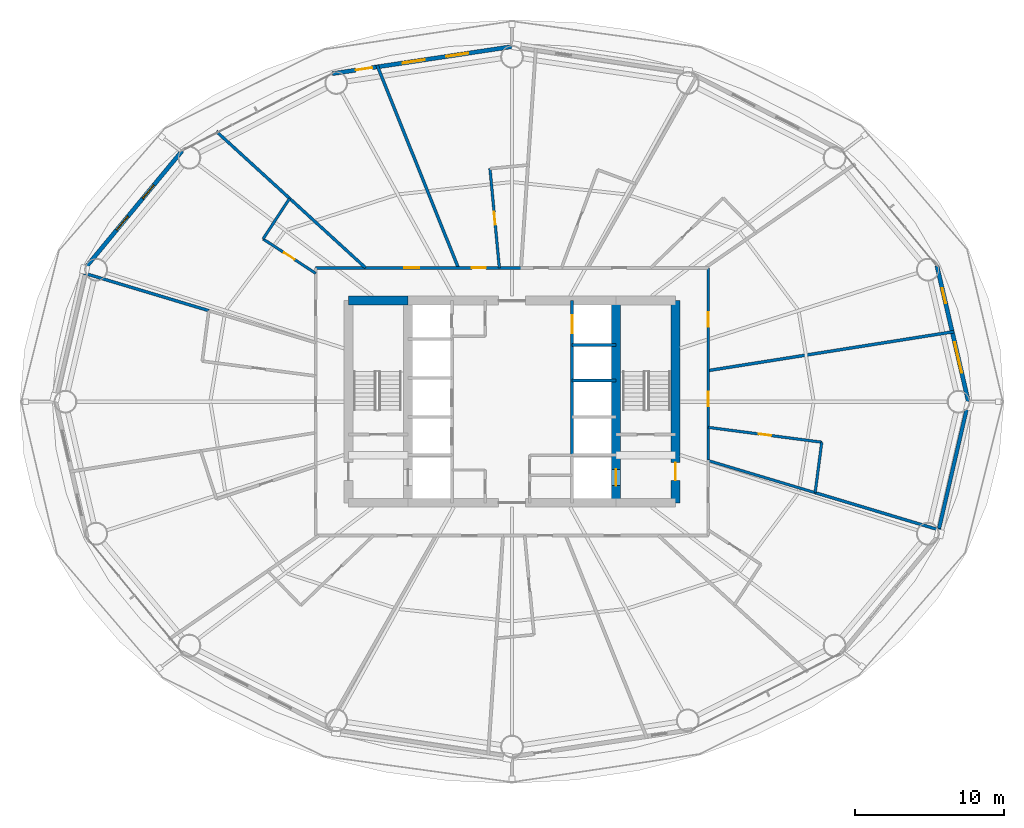
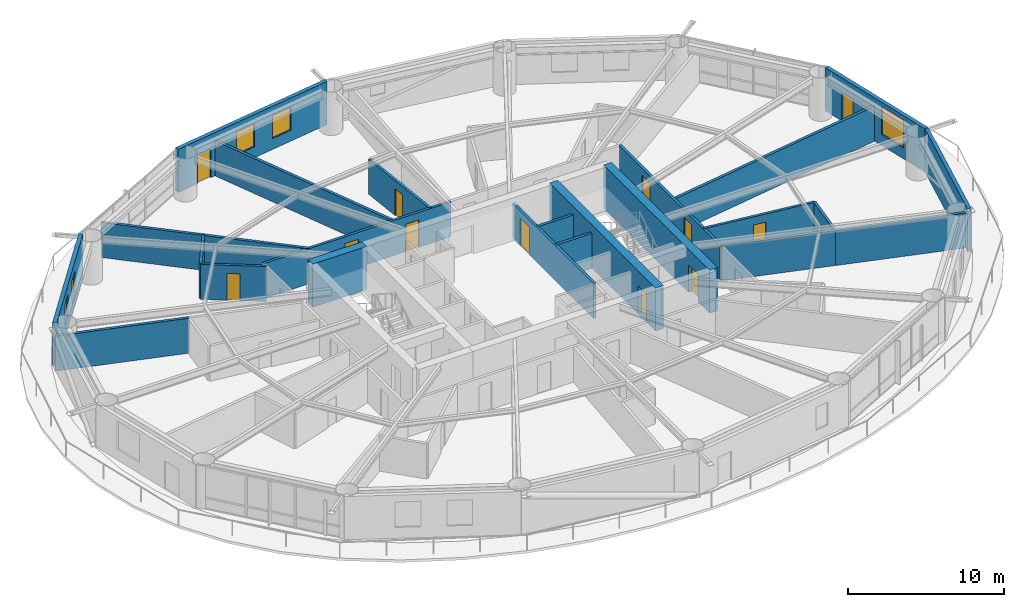
# One storey, part 22 of 26: 23 walls, 12 doors, 5 windows, 17 openings.
"""IFC4 building model written with IfcOpenShell, lengths in metres."""

from ifc_helpers import new_model, si_unit, direction, frame, frame_2d, origin, place, context, subcontext, project, spatial, rectangle, extrude, material, layer, layer_set, type_object, element, fill, save


model = new_model("IFC4")

# Units and contexts
model_context = context("Model", 3, precision=1e-05, world=origin(), true_north=direction((0.0, 1.0)))
body_context = subcontext(model_context, "Body", "Model", "MODEL_VIEW")
ifc_project = project(units=[si_unit("LENGTHUNIT", "METRE"), si_unit("AREAUNIT", "SQUARE_METRE"), si_unit("VOLUMEUNIT", "CUBIC_METRE"), si_unit("PLANEANGLEUNIT", "RADIAN"), si_unit("MASSUNIT", "GRAM", prefix="KILO")], contexts=[model_context])

# Site, building, storey
site_placement = place(None, origin())
site = spatial("IfcSite", under=ifc_project, at=site_placement, CompositionType="ELEMENT")
building_placement = place(site_placement, origin())
building = spatial("IfcBuilding", under=site, at=building_placement, Name="Sarneth Arch Tower", CompositionType="ELEMENT")
storey_placement = place(building_placement, frame((0.0, 0.0, 64.199951171875)))
storey = spatial("IfcBuildingStorey", under=building, at=storey_placement, Name="L15", CompositionType="ELEMENT", Elevation=64.199951171875)

# Wall
ifc_material_1 = material(Name="Concrete C60/75", Category="concrete")
ifc_layer_1 = layer(ifc_material_1, 0.60009765625)
ifc_layer_set_1 = layer_set([ifc_layer_1], Name="Concrete C60/75")
wall_type_1 = type_object("IfcWallType", Name="WALL-CORE-600", PredefinedType="SHEAR", material=ifc_layer_set_1)
wall_1_placement = place(storey_placement, frame((37.0, 48.800048828125, 0.0), z_axis=(0.0, 0.0, 1.0), x_axis=(1.0, 0.0, 0.0)))
element("IfcWall", 1, at=wall_1_placement, inside=storey, type_object=wall_type_1, Name="L15 Core shear wall N-W", PredefinedType="SHEAR", context=body_context, shape_type="SweptSolid", body=[
    extrude(rectangle(XDim=4.0, YDim=0.60009765625, at=frame_2d((2.0, 0.0))), origin(), (0.0, 0.0, 1.0), 3.380126953125),
])

# Wall, opening, door
wall_2_placement = place(storey_placement, frame((59.0, 35.199951171875, 0.0), z_axis=(0.0, 0.0, 1.0), x_axis=(0.0, 1.0, 0.0)))
wall_2 = element("IfcWall", 2, at=wall_2_placement, inside=storey, type_object=wall_type_1, Name="L15 Core shear wall E", PredefinedType="SHEAR", context=body_context, shape_type="SweptSolid", body=[
    extrude(rectangle(XDim=13.60009765625, YDim=0.60009765625, at=frame_2d((6.800048828125, 0.0))), origin(), (0.0, 0.0, 1.0), 3.380126953125),
])
opening_1_placement = place(wall_2_placement, frame((1.5, 0.0, 0.0)))
opening_1 = element("IfcOpeningElement", 3, at=opening_1_placement, cuts=wall_2, Name="Opening FD-02", PredefinedType="OPENING", context=body_context, shape_type="SweptSolid", body=[
    extrude(rectangle(XDim=1.199951171875, YDim=2.14990234375, at=frame_2d((0.60009765625, 1.074951171875))), frame((0.0, 0.31005859375, 0.0), z_axis=(0.0, -1.0, 0.0), x_axis=(1.0, 0.0, 0.0)), (0.0, 0.0, 1.0), 0.6201171875),
])
ifc_material_2 = material(Name="Galvanised Steel S275 fire door set", Category="steel")
door_type_1 = type_object("IfcDoorType", Name="DR-FD90-1200", OperationType="SINGLE_SWING_LEFT", PredefinedType="DOOR", material=ifc_material_2)
door_1_placement = place(opening_1_placement, origin())
door_1 = element("IfcDoor", 4, at=door_1_placement, inside=storey, type_object=door_type_1, Name="L15 Firefighting lobby 2 exit door", OperationType="SINGLE_SWING_RIGHT", OverallHeight=2.14990234375, OverallWidth=1.199951171875, PredefinedType="DOOR", context=body_context, shape_type="SweptSolid", body=[
    extrude(rectangle(XDim=1.199951171875, YDim=2.14990234375, at=frame_2d((0.60009765625, 1.074951171875))), frame((0.0, 0.02490234375, 0.0), z_axis=(0.0, -1.0, 0.0), x_axis=(1.0, 0.0, 0.0)), (0.0, 0.0, 1.0), 0.050048828125),
])
fill(opening_1, door_1)

wall_3_placement = place(storey_placement, frame((55.0, 35.199951171875, 0.0), z_axis=(0.0, 0.0, 1.0), x_axis=(0.0, 1.0, 0.0)))
wall_3 = element("IfcWall", 5, at=wall_3_placement, inside=storey, type_object=wall_type_1, Name="L15 Core shear wall WEB-E", PredefinedType="SHEAR", context=body_context, shape_type="SweptSolid", body=[
    extrude(rectangle(XDim=13.60009765625, YDim=0.60009765625, at=frame_2d((6.800048828125, 0.0))), origin(), (0.0, 0.0, 1.0), 3.380126953125),
])
opening_2_placement = place(wall_3_placement, frame((1.14990234375, 0.0, 0.0)))
opening_2 = element("IfcOpeningElement", 6, at=opening_2_placement, cuts=wall_3, Name="Opening LD-1", PredefinedType="OPENING", context=body_context, shape_type="SweptSolid", body=[
    extrude(rectangle(XDim=1.10009765625, YDim=2.199951171875, at=frame_2d((0.550048828125, 1.10009765625))), frame((0.0, 0.31005859375, 0.0), z_axis=(0.0, -1.0, 0.0), x_axis=(1.0, 0.0, 0.0)), (0.0, 0.0, 1.0), 0.6201171875),
])
ifc_material_3 = material(Name="Brushed Stainless Steel 304 lift landing door", Category="steel")
door_type_2 = type_object("IfcDoorType", Name="DR-LIFT-SLIDE-1100", OperationType="SLIDING_TO_LEFT", PredefinedType="DOOR", material=ifc_material_3)
door_2_placement = place(opening_2_placement, origin())
door_2 = element("IfcDoor", 7, at=door_2_placement, inside=storey, type_object=door_type_2, Name="L15 Firefighting lift landing door FL-2", OperationType="SLIDING_TO_RIGHT", OverallHeight=2.199951171875, OverallWidth=1.10009765625, PredefinedType="DOOR", context=body_context, shape_type="SweptSolid", body=[
    extrude(rectangle(XDim=1.10009765625, YDim=2.199951171875, at=frame_2d((0.550048828125, 1.10009765625))), frame((0.0, 0.02490234375, 0.0), z_axis=(0.0, -1.0, 0.0), x_axis=(1.0, 0.0, 0.0)), (0.0, 0.0, 1.0), 0.050048828125),
])
fill(opening_2, door_2)

# Wall, openings, doors
ifc_material_4 = material(Name="Double steel-stud corridor fire wall", Category="steel")
ifc_layer_2 = layer(ifc_material_4, 0.18994140625)
ifc_layer_set_2 = layer_set([ifc_layer_2], Name="Double steel-stud corridor fire wall")
wall_type_2 = type_object("IfcWallType", Name="WALL-CORR-190", PredefinedType="PARTITIONING", material=ifc_layer_set_2)
wall_4_placement = place(storey_placement, frame((61.199951171875, 51.0, 0.0), z_axis=(0.0, 0.0, 1.0), x_axis=(0.0, -1.0, 0.0)))
wall_4 = element("IfcWall", 8, at=wall_4_placement, inside=storey, type_object=wall_type_2, Name="L15 Interior partition W-L15-TP-002", PredefinedType="PARTITIONING", context=body_context, shape_type="SweptSolid", body=[
    extrude(rectangle(XDim=12.9638671875, YDim=0.18994140625, at=frame_2d((6.48193359375, 0.0))), origin(), (0.0, 0.0, 1.0), 2.739990234375),
])
opening_3_placement = place(wall_4_placement, frame((2.970703125, 0.0, 0.0)))
opening_3 = element("IfcOpeningElement", 9, at=opening_3_placement, cuts=wall_4, Name="Opening FD-08", PredefinedType="OPENING", context=body_context, shape_type="SweptSolid", body=[
    extrude(rectangle(XDim=1.0, YDim=2.199951171875, at=frame_2d((0.5, 1.10009765625))), frame((0.0, 0.10498046875, 0.0), z_axis=(0.0, -1.0, 0.0), x_axis=(1.0, 0.0, 0.0)), (0.0, 0.0, 1.0), 0.2099609375),
])
opening_4_placement = place(wall_4_placement, frame((8.343505859375, 0.0, 0.0)))
opening_4 = element("IfcOpeningElement", 10, at=opening_4_placement, cuts=wall_4, Name="Opening FD-09", PredefinedType="OPENING", context=body_context, shape_type="SweptSolid", body=[
    extrude(rectangle(XDim=0.949951171875, YDim=2.14990234375, at=frame_2d((0.47509765625, 1.074951171875))), frame((0.0, 0.10498046875, 0.0), z_axis=(0.0, -1.0, 0.0), x_axis=(1.0, 0.0, 0.0)), (0.0, 0.0, 1.0), 0.2099609375),
])
ifc_material_5 = material(Name="Hardwood timber acoustic fire door", Category="wood")
door_type_3 = type_object("IfcDoorType", Name="DR-FD60-1000", OperationType="SINGLE_SWING_LEFT", PredefinedType="DOOR", material=ifc_material_5)
door_3_placement = place(opening_3_placement, origin())
door_3 = element("IfcDoor", 11, at=door_3_placement, inside=storey, type_object=door_type_3, Name="L15 Interior door DR-L15-AMN-01", OperationType="SINGLE_SWING_LEFT", OverallHeight=2.199951171875, OverallWidth=1.0, PredefinedType="DOOR", context=body_context, shape_type="SweptSolid", body=[
    extrude(rectangle(XDim=1.0, YDim=2.199951171875, at=frame_2d((0.5, 1.10009765625))), frame((0.0, 0.02490234375, 0.0), z_axis=(0.0, -1.0, 0.0), x_axis=(1.0, 0.0, 0.0)), (0.0, 0.0, 1.0), 0.050048828125),
])
fill(opening_3, door_3)
ifc_material_6 = material(Name="Hardwood timber hotel entrance fire door", Category="wood")
door_type_4 = type_object("IfcDoorType", Name="DR-FD60-950", OperationType="SINGLE_SWING_RIGHT", PredefinedType="DOOR", material=ifc_material_6)
door_4_placement = place(opening_4_placement, origin())
door_4 = element("IfcDoor", 12, at=door_4_placement, inside=storey, type_object=door_type_4, Name="L15 Interior door DR-L15-KEY-14", OperationType="SINGLE_SWING_LEFT", OverallHeight=2.14990234375, OverallWidth=0.949951171875, PredefinedType="DOOR", context=body_context, shape_type="SweptSolid", body=[
    extrude(rectangle(XDim=0.949951171875, YDim=2.14990234375, at=frame_2d((0.47509765625, 1.074951171875))), frame((0.0, 0.02490234375, 0.0), z_axis=(0.0, -1.0, 0.0), x_axis=(1.0, 0.0, 0.0)), (0.0, 0.0, 1.0), 0.050048828125),
])
fill(opening_4, door_4)

wall_5_placement = place(storey_placement, frame((34.800048828125, 51.0, 0.0), z_axis=(0.0, 0.0, 1.0), x_axis=(1.0, 0.0, 0.0)))
wall_5 = element("IfcWall", 13, at=wall_5_placement, inside=storey, type_object=wall_type_2, Name="L15 Interior partition W-L15-TP-009", PredefinedType="PARTITIONING", context=body_context, shape_type="SweptSolid", body=[
    extrude(rectangle(XDim=13.8388671875, YDim=0.18994140625, at=frame_2d((6.91943359375, 0.0))), origin(), (0.0, 0.0, 1.0), 2.739990234375),
])
opening_5_placement = place(wall_5_placement, frame((5.96533203125, 0.0, 0.0)))
opening_5 = element("IfcOpeningElement", 14, at=opening_5_placement, cuts=wall_5, Name="Opening FD-08", PredefinedType="OPENING", context=body_context, shape_type="SweptSolid", body=[
    extrude(rectangle(XDim=1.0, YDim=2.199951171875, at=frame_2d((0.5, 1.10009765625))), frame((0.0, 0.10498046875, 0.0), z_axis=(0.0, -1.0, 0.0), x_axis=(1.0, 0.0, 0.0)), (0.0, 0.0, 1.0), 0.2099609375),
])
opening_6_placement = place(wall_5_placement, frame((10.493408203125, 0.0, 0.0)))
opening_6 = element("IfcOpeningElement", 15, at=opening_6_placement, cuts=wall_5, Name="Opening FD-09", PredefinedType="OPENING", context=body_context, shape_type="SweptSolid", body=[
    extrude(rectangle(XDim=0.949951171875, YDim=2.14990234375, at=frame_2d((0.47509765625, 1.074951171875))), frame((0.0, 0.10498046875, 0.0), z_axis=(0.0, -1.0, 0.0), x_axis=(1.0, 0.0, 0.0)), (0.0, 0.0, 1.0), 0.2099609375),
])
door_5_placement = place(opening_5_placement, origin())
door_5 = element("IfcDoor", 16, at=door_5_placement, inside=storey, type_object=door_type_3, Name="L15 Interior door DR-L15-AMN-05", OperationType="SINGLE_SWING_LEFT", OverallHeight=2.199951171875, OverallWidth=1.0, PredefinedType="DOOR", context=body_context, shape_type="SweptSolid", body=[
    extrude(rectangle(XDim=1.0, YDim=2.199951171875, at=frame_2d((0.5, 1.10009765625))), frame((0.0, 0.02490234375, 0.0), z_axis=(0.0, -1.0, 0.0), x_axis=(1.0, 0.0, 0.0)), (0.0, 0.0, 1.0), 0.050048828125),
])
fill(opening_5, door_5)
door_6_placement = place(opening_6_placement, origin())
door_6 = element("IfcDoor", 17, at=door_6_placement, inside=storey, type_object=door_type_4, Name="L15 Interior door DR-L15-KEY-04", OperationType="SINGLE_SWING_LEFT", OverallHeight=2.14990234375, OverallWidth=0.949951171875, PredefinedType="DOOR", context=body_context, shape_type="SweptSolid", body=[
    extrude(rectangle(XDim=0.949951171875, YDim=2.14990234375, at=frame_2d((0.47509765625, 1.074951171875))), frame((0.0, 0.02490234375, 0.0), z_axis=(0.0, -1.0, 0.0), x_axis=(1.0, 0.0, 0.0)), (0.0, 0.0, 1.0), 0.050048828125),
])
fill(opening_6, door_6)

# Wall
ifc_material_7 = material(Name="Extruded terracotta rainscreen on Concrete C40/50 backing", Category="masonry")
ifc_layer_3 = layer(ifc_material_7, 0.25)
ifc_layer_set_3 = layer_set([ifc_layer_3], Name="Extruded terracotta rainscreen on Concrete C40/50 backing")
wall_type_3 = type_object("IfcWallType", Name="WALL-EXT-SPAND-250", PredefinedType="SOLIDWALL", material=ifc_layer_set_3)
wall_6_placement = place(storey_placement, frame((76.5810546875, 32.861572265625, 0.0), z_axis=(0.0, 0.0, 1.0), x_axis=(0.225454452941, 0.974253709076, 0.0)))
element("IfcWall", 18, at=wall_6_placement, inside=storey, type_object=wall_type_3, Name="L15 Terracotta perimeter wall 16", PredefinedType="SOLIDWALL", context=body_context, shape_type="SweptSolid", body=[
    extrude(rectangle(XDim=9.3798828125, YDim=0.25, at=frame_2d((4.68994140625, 0.0))), origin(), (0.0, 0.0, 1.0), 3.380126953125),
])

# Wall, openings, door, window
ifc_material_8 = material(Name="Extruded terracotta rainscreen on Concrete C40/50 backing", Category="masonry")
ifc_layer_4 = layer(ifc_material_8, 0.280029296875)
ifc_layer_set_4 = layer_set([ifc_layer_4], Name="Extruded terracotta rainscreen on Concrete C40/50 backing")
wall_type_4 = type_object("IfcWallType", Name="WALL-EXT-TERRA-280", PredefinedType="SOLIDWALL", material=ifc_layer_set_4)
wall_7_placement = place(storey_placement, frame((78.69580078125, 42.0, 0.0), z_axis=(0.0, 0.0, 1.0), x_axis=(-0.225454452941, 0.974253709076, 0.0)))
wall_7 = element("IfcWall", 19, at=wall_7_placement, inside=storey, type_object=wall_type_4, Name="L15 Terracotta perimeter wall 01", PredefinedType="SOLIDWALL", context=body_context, shape_type="SweptSolid", body=[
    extrude(rectangle(XDim=9.3798828125, YDim=0.280029296875, at=frame_2d((4.68994140625, 0.0))), origin(), (0.0, 0.0, 1.0), 3.380126953125),
])
opening_7_placement = place(wall_7_placement, frame((2.002197265625, 0.0, 0.85009765625)))
opening_7 = element("IfcOpeningElement", 20, at=opening_7_placement, cuts=wall_7, Name="Opening W-03", PredefinedType="OPENING", context=body_context, shape_type="SweptSolid", body=[
    extrude(rectangle(XDim=2.10009765625, YDim=2.199951171875, at=frame_2d((1.050048828125, 1.10009765625))), frame((0.0, 0.14990234375, 0.0), z_axis=(0.0, -1.0, 0.0), x_axis=(1.0, 0.0, 0.0)), (0.0, 0.0, 1.0), 0.300048828125),
])
opening_8_placement = place(wall_7_placement, frame((6.78515625, 0.0, 0.0)))
opening_8 = element("IfcOpeningElement", 21, at=opening_8_placement, cuts=wall_7, Name="Opening BD-4", PredefinedType="OPENING", context=body_context, shape_type="SweptSolid", body=[
    extrude(rectangle(XDim=1.050048828125, YDim=2.199951171875, at=frame_2d((0.52490234375, 1.10009765625))), frame((0.0, 0.14990234375, 0.0), z_axis=(0.0, -1.0, 0.0), x_axis=(1.0, 0.0, 0.0)), (0.0, 0.0, 1.0), 0.300048828125),
])
ifc_material_9 = material(Name="Thermally broken Aluminium 6063-T6 and laminated safety glass", Category="aluminium")
door_type_5 = type_object("IfcDoorType", Name="DR-BALC-GLZ-1050", OperationType="SINGLE_SWING_RIGHT", PredefinedType="DOOR", material=ifc_material_9)
door_7_placement = place(opening_8_placement, origin())
door_7 = element("IfcDoor", 22, at=door_7_placement, inside=storey, type_object=door_type_5, Name="L15 Balcony glazed door 01", OperationType="SINGLE_SWING_RIGHT", OverallHeight=2.199951171875, OverallWidth=1.050048828125, PredefinedType="DOOR", context=body_context, shape_type="SweptSolid", body=[
    extrude(rectangle(XDim=1.050048828125, YDim=2.199951171875, at=frame_2d((0.52490234375, 1.10009765625))), frame((0.0, 0.02490234375, 0.0), z_axis=(0.0, -1.0, 0.0), x_axis=(1.0, 0.0, 0.0)), (0.0, 0.0, 1.0), 0.050048828125),
])
fill(opening_8, door_7)
ifc_material_10 = material(Name="Thermally broken Aluminium 6063-T6 and low-e laminated IGU", Category="aluminium")
window_type_1 = type_object("IfcWindowType", Name="WIN-TWR-2100x2200", PartitioningType="DOUBLE_PANEL_VERTICAL", PredefinedType="WINDOW", material=ifc_material_10)
window_1_placement = place(opening_7_placement, origin())
window_1 = element("IfcWindow", 23, at=window_1_placement, inside=storey, type_object=window_type_1, Name="L15 Exterior window 01A", OverallHeight=2.199951171875, OverallWidth=2.10009765625, PartitioningType="SINGLE_PANEL", PredefinedType="WINDOW", context=body_context, shape_type="SweptSolid", body=[
    extrude(rectangle(XDim=2.10009765625, YDim=2.199951171875, at=frame_2d((1.050048828125, 1.10009765625))), frame((0.0, 0.030029296875, 0.0), z_axis=(0.0, -1.0, 0.0), x_axis=(1.0, 0.0, 0.0)), (0.0, 0.0, 1.0), 0.06005859375),
])
fill(opening_7, window_1)

# Wall, openings, door, windows
wall_8_placement = place(storey_placement, frame((48.0, 65.8798828125, 0.0), z_axis=(0.0, 0.0, 1.0), x_axis=(-0.988864835849, -0.148816452121, 0.0)))
wall_8 = element("IfcWall", 24, at=wall_8_placement, inside=storey, type_object=wall_type_4, Name="L15 Terracotta perimeter wall 05", PredefinedType="SOLIDWALL", context=body_context, shape_type="SweptSolid", body=[
    extrude(rectangle(XDim=12.2138671875, YDim=0.280029296875, at=frame_2d((6.10693359375, 0.0))), origin(), (0.0, 0.0, 1.0), 3.380126953125),
])
opening_9_placement = place(wall_8_placement, frame((2.9716796875, 0.0, 0.85009765625)))
opening_9 = element("IfcOpeningElement", 25, at=opening_9_placement, cuts=wall_8, Name="Opening W-07", PredefinedType="OPENING", context=body_context, shape_type="SweptSolid", body=[
    extrude(rectangle(XDim=1.5, YDim=1.800048828125, at=frame_2d((0.75, 0.89990234375))), frame((0.0, 0.14990234375, 0.0), z_axis=(0.0, -1.0, 0.0), x_axis=(1.0, 0.0, 0.0)), (0.0, 0.0, 1.0), 0.300048828125),
])
opening_10_placement = place(wall_8_placement, frame((5.9423828125, 0.0, 0.85009765625)))
opening_10 = element("IfcOpeningElement", 26, at=opening_10_placement, cuts=wall_8, Name="Opening W-07", PredefinedType="OPENING", context=body_context, shape_type="SweptSolid", body=[
    extrude(rectangle(XDim=1.5, YDim=1.800048828125, at=frame_2d((0.75, 0.89990234375))), frame((0.0, 0.14990234375, 0.0), z_axis=(0.0, -1.0, 0.0), x_axis=(1.0, 0.0, 0.0)), (0.0, 0.0, 1.0), 0.300048828125),
])
opening_11_placement = place(wall_8_placement, frame((9.520263671875, 0.0, 0.0)))
opening_11 = element("IfcOpeningElement", 27, at=opening_11_placement, cuts=wall_8, Name="Opening BD-3", PredefinedType="OPENING", context=body_context, shape_type="SweptSolid", body=[
    extrude(rectangle(XDim=1.10009765625, YDim=2.25, at=frame_2d((0.550048828125, 1.125))), frame((0.0, 0.14990234375, 0.0), z_axis=(0.0, -1.0, 0.0), x_axis=(1.0, 0.0, 0.0)), (0.0, 0.0, 1.0), 0.300048828125),
])
ifc_material_11 = material(Name="Thermally broken Aluminium 6063-T6 and laminated safety glass", Category="aluminium")
door_type_6 = type_object("IfcDoorType", Name="DR-BALC-GLZ-1100", OperationType="SINGLE_SWING_LEFT", PredefinedType="DOOR", material=ifc_material_11)
door_8_placement = place(opening_11_placement, origin())
door_8 = element("IfcDoor", 28, at=door_8_placement, inside=storey, type_object=door_type_6, Name="L15 Balcony glazed door 05", OperationType="SINGLE_SWING_LEFT", OverallHeight=2.25, OverallWidth=1.10009765625, PredefinedType="DOOR", context=body_context, shape_type="SweptSolid", body=[
    extrude(rectangle(XDim=1.10009765625, YDim=2.25, at=frame_2d((0.550048828125, 1.125))), frame((0.0, 0.02490234375, 0.0), z_axis=(0.0, -1.0, 0.0), x_axis=(1.0, 0.0, 0.0)), (0.0, 0.0, 1.0), 0.050048828125),
])
fill(opening_11, door_8)
ifc_material_12 = material(Name="Thermally broken Aluminium 6063-T6 and low-e laminated IGU", Category="aluminium")
window_type_2 = type_object("IfcWindowType", Name="WIN-TWR-1500x1800", PartitioningType="SINGLE_PANEL", PredefinedType="WINDOW", material=ifc_material_12)
window_2_placement = place(opening_9_placement, origin())
window_2 = element("IfcWindow", 29, at=window_2_placement, inside=storey, type_object=window_type_2, Name="L15 Exterior window 05A", OverallHeight=1.800048828125, OverallWidth=1.5, PartitioningType="SINGLE_PANEL", PredefinedType="WINDOW", context=body_context, shape_type="SweptSolid", body=[
    extrude(rectangle(XDim=1.5, YDim=1.800048828125, at=frame_2d((0.75, 0.89990234375))), frame((0.0, 0.030029296875, 0.0), z_axis=(0.0, -1.0, 0.0), x_axis=(1.0, 0.0, 0.0)), (0.0, 0.0, 1.0), 0.06005859375),
])
fill(opening_9, window_2)
window_3_placement = place(opening_10_placement, origin())
window_3 = element("IfcWindow", 30, at=window_3_placement, inside=storey, type_object=window_type_2, Name="L15 Exterior window 05B", OverallHeight=1.800048828125, OverallWidth=1.5, PartitioningType="SINGLE_PANEL", PredefinedType="WINDOW", context=body_context, shape_type="SweptSolid", body=[
    extrude(rectangle(XDim=1.5, YDim=1.800048828125, at=frame_2d((0.75, 0.89990234375))), frame((0.0, 0.030029296875, 0.0), z_axis=(0.0, -1.0, 0.0), x_axis=(1.0, 0.0, 0.0)), (0.0, 0.0, 1.0), 0.06005859375),
])
fill(opening_10, window_3)

# Wall, openings, windows
wall_9_placement = place(storey_placement, frame((25.825927734375, 58.8857421875, 0.0), z_axis=(0.0, 0.0, 1.0), x_axis=(-0.637296809613, -0.770618437657, 0.0)))
wall_9 = element("IfcWall", 31, at=wall_9_placement, inside=storey, type_object=wall_type_4, Name="L15 Terracotta perimeter wall 07", PredefinedType="SOLIDWALL", context=body_context, shape_type="SweptSolid", body=[
    extrude(rectangle(XDim=10.053466796875, YDim=0.280029296875, at=frame_2d((5.02685546875, 0.0))), origin(), (0.0, 0.0, 1.0), 3.380126953125),
])
opening_12_placement = place(wall_9_placement, frame((2.998046875, 0.0, 0.85009765625)))
opening_12 = element("IfcOpeningElement", 32, at=opening_12_placement, cuts=wall_9, Name="Opening W-09", PredefinedType="OPENING", context=body_context, shape_type="SweptSolid", body=[
    extrude(rectangle(XDim=1.199951171875, YDim=1.800048828125, at=frame_2d((0.60009765625, 0.89990234375))), frame((0.0, 0.14990234375, 0.0), z_axis=(0.0, -1.0, 0.0), x_axis=(1.0, 0.0, 0.0)), (0.0, 0.0, 1.0), 0.300048828125),
])
opening_13_placement = place(wall_9_placement, frame((5.729736328125, 0.0, 0.85009765625)))
opening_13 = element("IfcOpeningElement", 33, at=opening_13_placement, cuts=wall_9, Name="Opening W-09", PredefinedType="OPENING", context=body_context, shape_type="SweptSolid", body=[
    extrude(rectangle(XDim=1.199951171875, YDim=1.800048828125, at=frame_2d((0.60009765625, 0.89990234375))), frame((0.0, 0.14990234375, 0.0), z_axis=(0.0, -1.0, 0.0), x_axis=(1.0, 0.0, 0.0)), (0.0, 0.0, 1.0), 0.300048828125),
])
ifc_material_13 = material(Name="Thermally broken Aluminium 6063-T6 and low-e laminated IGU", Category="aluminium")
window_type_3 = type_object("IfcWindowType", Name="WIN-TWR-1200x1800", PartitioningType="SINGLE_PANEL", PredefinedType="WINDOW", material=ifc_material_13)
window_4_placement = place(opening_12_placement, origin())
window_4 = element("IfcWindow", 34, at=window_4_placement, inside=storey, type_object=window_type_3, Name="L15 Exterior window 07A", OverallHeight=1.800048828125, OverallWidth=1.199951171875, PartitioningType="SINGLE_PANEL", PredefinedType="WINDOW", context=body_context, shape_type="SweptSolid", body=[
    extrude(rectangle(XDim=1.199951171875, YDim=1.800048828125, at=frame_2d((0.60009765625, 0.89990234375))), frame((0.0, 0.030029296875, 0.0), z_axis=(0.0, -1.0, 0.0), x_axis=(1.0, 0.0, 0.0)), (0.0, 0.0, 1.0), 0.06005859375),
])
fill(opening_12, window_4)
window_5_placement = place(opening_13_placement, origin())
window_5 = element("IfcWindow", 35, at=window_5_placement, inside=storey, type_object=window_type_3, Name="L15 Exterior window 07B", OverallHeight=1.800048828125, OverallWidth=1.199951171875, PartitioningType="SINGLE_PANEL", PredefinedType="WINDOW", context=body_context, shape_type="SweptSolid", body=[
    extrude(rectangle(XDim=1.199951171875, YDim=1.800048828125, at=frame_2d((0.60009765625, 0.89990234375))), frame((0.0, 0.030029296875, 0.0), z_axis=(0.0, -1.0, 0.0), x_axis=(1.0, 0.0, 0.0)), (0.0, 0.0, 1.0), 0.06005859375),
])
fill(opening_13, window_5)

# Wall, opening, door
ifc_material_14 = material(Name="Moisture-resistant plumbing chase wall", Category="gypsum")
ifc_layer_5 = layer(ifc_material_14, 0.179931640625)
ifc_layer_set_5 = layer_set([ifc_layer_5], Name="Moisture-resistant plumbing chase wall")
wall_type_5 = type_object("IfcWallType", Name="WALL-PLUMB-180", PredefinedType="PLUMBINGWALL", material=ifc_layer_set_5)
wall_10_placement = place(storey_placement, frame((61.199951171875, 40.272216796875, 0.0), z_axis=(0.0, 0.0, 1.0), x_axis=(0.991543548491, -0.129774386708, 0.0)))
wall_10 = element("IfcWall", 36, at=wall_10_placement, inside=storey, type_object=wall_type_5, Name="L15 Interior partition W-L15-TP-071", PredefinedType="PLUMBINGWALL", context=body_context, shape_type="SweptSolid", body=[
    extrude(rectangle(XDim=7.6982421875, YDim=0.179931640625, at=frame_2d((3.84912109375, 0.0))), origin(), (0.0, 0.0, 1.0), 2.739990234375),
])
opening_14_placement = place(wall_10_placement, frame((3.424072265625, 0.0, 0.0)))
opening_14 = element("IfcOpeningElement", 37, at=opening_14_placement, cuts=wall_10, Name="Opening ID-02", PredefinedType="OPENING", context=body_context, shape_type="SweptSolid", body=[
    extrude(rectangle(XDim=0.85009765625, YDim=2.10009765625, at=frame_2d((0.425048828125, 1.050048828125))), frame((0.0, 0.099853515625, 0.0), z_axis=(0.0, -1.0, 0.0), x_axis=(1.0, 0.0, 0.0)), (0.0, 0.0, 1.0), 0.199951171875),
])
ifc_material_15 = material(Name="Moisture-resistant bathroom timber door", Category="wood")
door_type_7 = type_object("IfcDoorType", Name="DR-INT-850", OperationType="SINGLE_SWING_RIGHT", PredefinedType="DOOR", material=ifc_material_15)
door_9_placement = place(opening_14_placement, origin())
door_9 = element("IfcDoor", 38, at=door_9_placement, inside=storey, type_object=door_type_7, Name="L15 Interior door DR-L15-ENS-14", OperationType="SINGLE_SWING_LEFT", OverallHeight=2.10009765625, OverallWidth=0.85009765625, PredefinedType="DOOR", context=body_context, shape_type="SweptSolid", body=[
    extrude(rectangle(XDim=0.85009765625, YDim=2.10009765625, at=frame_2d((0.425048828125, 1.050048828125))), frame((0.0, 0.02490234375, 0.0), z_axis=(0.0, -1.0, 0.0), x_axis=(1.0, 0.0, 0.0)), (0.0, 0.0, 1.0), 0.050048828125),
])
fill(opening_14, door_9)

# Wall
wall_11_placement = place(storey_placement, frame((68.388427734375, 35.877685546875, 0.0), z_axis=(0.0, 0.0, 1.0), x_axis=(-0.95775642604, 0.28758064674, 0.0)))
element("IfcWall", 39, at=wall_11_placement, inside=storey, type_object=wall_type_5, Name="L15 Interior partition W-L15-TP-070", PredefinedType="PLUMBINGWALL", context=body_context, shape_type="SweptSolid", body=[
    extrude(rectangle(XDim=7.505615234375, YDim=0.179931640625, at=frame_2d((3.7529296875, 0.0))), origin(), (0.0, 0.0, 1.0), 2.739990234375),
])

# Wall, opening, door
wall_12_placement = place(storey_placement, frame((46.518310546875, 57.673828125, 0.0), z_axis=(0.0, 0.0, 1.0), x_axis=(0.094107851527, -0.995562008255, 0.0)))
wall_12 = element("IfcWall", 40, at=wall_12_placement, inside=storey, type_object=wall_type_5, Name="L15 Interior partition W-L15-TP-041", PredefinedType="PLUMBINGWALL", context=body_context, shape_type="SweptSolid", body=[
    extrude(rectangle(XDim=6.70361328125, YDim=0.179931640625, at=frame_2d((3.351806640625, 0.0))), origin(), (0.0, 0.0, 1.0), 2.739990234375),
])
opening_15_placement = place(wall_12_placement, frame((2.9267578125, 0.0, 0.0)))
opening_15 = element("IfcOpeningElement", 41, at=opening_15_placement, cuts=wall_12, Name="Opening ID-02", PredefinedType="OPENING", context=body_context, shape_type="SweptSolid", body=[
    extrude(rectangle(XDim=0.85009765625, YDim=2.10009765625, at=frame_2d((0.425048828125, 1.050048828125))), frame((0.0, 0.099853515625, 0.0), z_axis=(0.0, -1.0, 0.0), x_axis=(1.0, 0.0, 0.0)), (0.0, 0.0, 1.0), 0.199951171875),
])
door_10_placement = place(opening_15_placement, origin())
door_10 = element("IfcDoor", 42, at=door_10_placement, inside=storey, type_object=door_type_7, Name="L15 Interior door DR-L15-ENS-04", OperationType="SINGLE_SWING_RIGHT", OverallHeight=2.10009765625, OverallWidth=0.85009765625, PredefinedType="DOOR", context=body_context, shape_type="SweptSolid", body=[
    extrude(rectangle(XDim=0.85009765625, YDim=2.10009765625, at=frame_2d((0.425048828125, 1.050048828125))), frame((0.0, 0.02490234375, 0.0), z_axis=(0.0, -1.0, 0.0), x_axis=(1.0, 0.0, 0.0)), (0.0, 0.0, 1.0), 0.050048828125),
])
fill(opening_15, door_10)

wall_13_placement = place(storey_placement, frame((31.25830078125, 52.943603515625, 0.0), z_axis=(0.0, 0.0, 1.0), x_axis=(0.837031612028, -0.5471545307, 0.0)))
wall_13 = element("IfcWall", 43, at=wall_13_placement, inside=storey, type_object=wall_type_5, Name="L15 Interior partition W-L15-TP-046", PredefinedType="PLUMBINGWALL", context=body_context, shape_type="SweptSolid", body=[
    extrude(rectangle(XDim=4.231201171875, YDim=0.179931640625, at=frame_2d((2.11572265625, 0.0))), origin(), (0.0, 0.0, 1.0), 2.739990234375),
])
opening_16_placement = place(wall_13_placement, frame((1.690673828125, 0.0, 0.0)))
opening_16 = element("IfcOpeningElement", 44, at=opening_16_placement, cuts=wall_13, Name="Opening ID-02", PredefinedType="OPENING", context=body_context, shape_type="SweptSolid", body=[
    extrude(rectangle(XDim=0.85009765625, YDim=2.10009765625, at=frame_2d((0.425048828125, 1.050048828125))), frame((0.0, 0.099853515625, 0.0), z_axis=(0.0, -1.0, 0.0), x_axis=(1.0, 0.0, 0.0)), (0.0, 0.0, 1.0), 0.199951171875),
])
door_11_placement = place(opening_16_placement, origin())
door_11 = element("IfcDoor", 45, at=door_11_placement, inside=storey, type_object=door_type_7, Name="L15 Interior door DR-L15-ENS-06", OperationType="SINGLE_SWING_LEFT", OverallHeight=2.10009765625, OverallWidth=0.85009765625, PredefinedType="DOOR", context=body_context, shape_type="SweptSolid", body=[
    extrude(rectangle(XDim=0.85009765625, YDim=2.10009765625, at=frame_2d((0.425048828125, 1.050048828125))), frame((0.0, 0.02490234375, 0.0), z_axis=(0.0, -1.0, 0.0), x_axis=(1.0, 0.0, 0.0)), (0.0, 0.0, 1.0), 0.050048828125),
])
fill(opening_16, door_11)

# Walls
wall_14_placement = place(storey_placement, frame((68.8330078125, 39.273193359375, 0.0), z_axis=(0.0, 0.0, 1.0), x_axis=(-0.129823772588, -0.991537083558, 0.0)))
element("IfcWall", 46, at=wall_14_placement, inside=storey, type_object=wall_type_5, Name="L15 Interior partition W-L15-TP-072", PredefinedType="PLUMBINGWALL", context=body_context, shape_type="SweptSolid", body=[
    extrude(rectangle(XDim=3.424560546875, YDim=0.179931640625, at=frame_2d((1.71240234375, 0.0))), origin(), (0.0, 0.0, 1.0), 2.739990234375),
])
wall_15_placement = place(storey_placement, frame((33.0419921875, 55.672119140625, 0.0), z_axis=(0.0, 0.0, 1.0), x_axis=(-0.547176717469, -0.837017108463, 0.0)))
element("IfcWall", 47, at=wall_15_placement, inside=storey, type_object=wall_type_5, Name="L15 Interior partition W-L15-TP-045", PredefinedType="PLUMBINGWALL", context=body_context, shape_type="SweptSolid", body=[
    extrude(rectangle(XDim=3.259765625, YDim=0.179931640625, at=frame_2d((1.6298828125, 0.0))), origin(), (0.0, 0.0, 1.0), 2.739990234375),
])

# Wall, opening, door
ifc_material_16 = material(Name="Aerated concrete blockwork C25/30", Category="masonry")
ifc_layer_6 = layer(ifc_material_16, 0.199951171875)
ifc_layer_set_6 = layer_set([ifc_layer_6], Name="Aerated concrete blockwork C25/30")
wall_type_6 = type_object("IfcWallType", Name="WALL-SHAFT-200", PredefinedType="SOLIDWALL", material=ifc_layer_set_6)
wall_16_placement = place(storey_placement, frame((52.050048828125, 38.39990234375, 0.0), z_axis=(0.0, 0.0, 1.0), x_axis=(0.0, 1.0, 0.0)))
wall_16 = element("IfcWall", 48, at=wall_16_placement, inside=storey, type_object=wall_type_6, Name="L15 Interior partition W-L15-EASTBANK-FRONT", PredefinedType="SOLIDWALL", context=body_context, shape_type="SweptSolid", body=[
    extrude(rectangle(XDim=10.400146484375, YDim=0.199951171875, at=frame_2d((5.2001953125, 0.0))), origin(), (0.0, 0.0, 1.0), 2.739990234375),
])
opening_17_placement = place(wall_16_placement, frame((8.199951171875, 0.0, 0.0)))
opening_17 = element("IfcOpeningElement", 49, at=opening_17_placement, cuts=wall_16, Name="Opening LD-2", PredefinedType="OPENING", context=body_context, shape_type="SweptSolid", body=[
    extrude(rectangle(XDim=1.199951171875, YDim=2.199951171875, at=frame_2d((0.60009765625, 1.10009765625))), frame((0.0, 0.10986328125, 0.0), z_axis=(0.0, -1.0, 0.0), x_axis=(1.0, 0.0, 0.0)), (0.0, 0.0, 1.0), 0.219970703125),
])
ifc_material_17 = material(Name="Brushed Stainless Steel 304 service lift door", Category="steel")
door_type_8 = type_object("IfcDoorType", Name="DR-LIFT-SLIDE-1200", OperationType="SLIDING_TO_RIGHT", PredefinedType="DOOR", material=ifc_material_17)
door_12_placement = place(opening_17_placement, origin())
door_12 = element("IfcDoor", 50, at=door_12_placement, inside=storey, type_object=door_type_8, Name="L15 Lift landing door DR-L15-LD-SL1", OperationType="SLIDING_TO_RIGHT", OverallHeight=2.199951171875, OverallWidth=1.199951171875, PredefinedType="DOOR", context=body_context, shape_type="SweptSolid", body=[
    extrude(rectangle(XDim=1.199951171875, YDim=2.199951171875, at=frame_2d((0.60009765625, 1.10009765625))), frame((0.0, 0.02490234375, 0.0), z_axis=(0.0, -1.0, 0.0), x_axis=(1.0, 0.0, 0.0)), (0.0, 0.0, 1.0), 0.050048828125),
])
fill(opening_17, door_12)

# Walls
for number, where, z_axis, x_axis, name in (
    (51, (52.050048828125, 43.419921875, 0.0), (0.0, 0.0, 1.0), (1.0, 0.0, 0.0), "L15 Interior partition W-L15-EB-DIV-4342"),
    (52, (52.050048828125, 45.800048828125, 0.0), (0.0, 0.0, 1.0), (1.0, 0.0, 0.0), "L15 Interior partition W-L15-EB-DIV-4580"),
):
    element("IfcWall", number, at=place(storey_placement, frame(where, z_axis=z_axis, x_axis=x_axis)), inside=storey, type_object=wall_type_6, Name=name, PredefinedType="SOLIDWALL", context=body_context, shape_type="SweptSolid", body=[
        extrude(rectangle(XDim=2.949951171875, YDim=0.199951171875, at=frame_2d((1.47509765625, 0.0))), origin(), (0.0, 0.0, 1.0), 2.739990234375),
    ])
ifc_material_18 = material(Name="Double steel-stud acoustic drywall", Category="steel")
ifc_layer_7 = layer(ifc_material_18, 0.199951171875)
ifc_layer_set_7 = layer_set([ifc_layer_7], Name="Double steel-stud acoustic drywall")
wall_type_7 = type_object("IfcWallType", Name="WALL-UNIT-200", PredefinedType="PARTITIONING", material=ifc_layer_set_7)
wall_17_placement = place(storey_placement, frame((61.199951171875, 44.0908203125, 0.0), z_axis=(0.0, 0.0, 1.0), x_axis=(0.987690823911, 0.156418785194, 0.0)))
element("IfcWall", 53, at=wall_17_placement, inside=storey, type_object=wall_type_7, Name="L15 Interior partition W-L15-TP-031", PredefinedType="PARTITIONING", context=body_context, shape_type="SweptSolid", body=[
    extrude(rectangle(XDim=16.735107421875, YDim=0.199951171875, at=frame_2d((8.36767578125, 0.0))), origin(), (0.0, 0.0, 1.0), 2.739990234375),
])
wall_18_placement = place(storey_placement, frame((44.389892578125, 51.0, 0.0), z_axis=(0.0, 0.0, 1.0), x_axis=(-0.372301847193, 0.928111703717, 0.0)))
element("IfcWall", 54, at=wall_18_placement, inside=storey, type_object=wall_type_7, Name="L15 Interior partition W-L15-TP-042", PredefinedType="PARTITIONING", context=body_context, shape_type="SweptSolid", body=[
    extrude(rectangle(XDim=14.687744140625, YDim=0.199951171875, at=frame_2d((7.34375, 0.0))), origin(), (0.0, 0.0, 1.0), 2.739990234375),
])
for number, where, z_axis, x_axis, name in (
    (55, (76.816162109375, 33.346923828125, 0.0), (0.0, 0.0, 1.0), (-0.957749889613, 0.287602414708, 0.0), "L15 Interior partition W-L15-TP-069"),
    (56, (19.183837890625, 50.653076171875, 0.0), (0.0, 0.0, 1.0), (0.957749889613, -0.287602414708, 0.0), "L15 Interior partition W-L15-TP-047"),
):
    element("IfcWall", number, at=place(storey_placement, frame(where, z_axis=z_axis, x_axis=x_axis)), inside=storey, type_object=wall_type_7, Name=name, PredefinedType="PARTITIONING", context=body_context, shape_type="SweptSolid", body=[
        extrude(rectangle(XDim=8.799560546875, YDim=0.199951171875, at=frame_2d((4.39990234375, 0.0))), origin(), (0.0, 0.0, 1.0), 2.739990234375),
    ])
wall_19_placement = place(storey_placement, frame((38.153564453125, 51.0, 0.0), z_axis=(0.0, 0.0, 1.0), x_axis=(-0.738119160364, 0.674670367738, 0.0)))
element("IfcWall", 57, at=wall_19_placement, inside=storey, type_object=wall_type_7, Name="L15 Interior partition W-L15-TP-044", PredefinedType="PARTITIONING", context=body_context, shape_type="SweptSolid", body=[
    extrude(rectangle(XDim=13.60986328125, YDim=0.199951171875, at=frame_2d((6.804931640625, 0.0))), origin(), (0.0, 0.0, 1.0), 2.739990234375),
])

save(model, "model.ifc")
